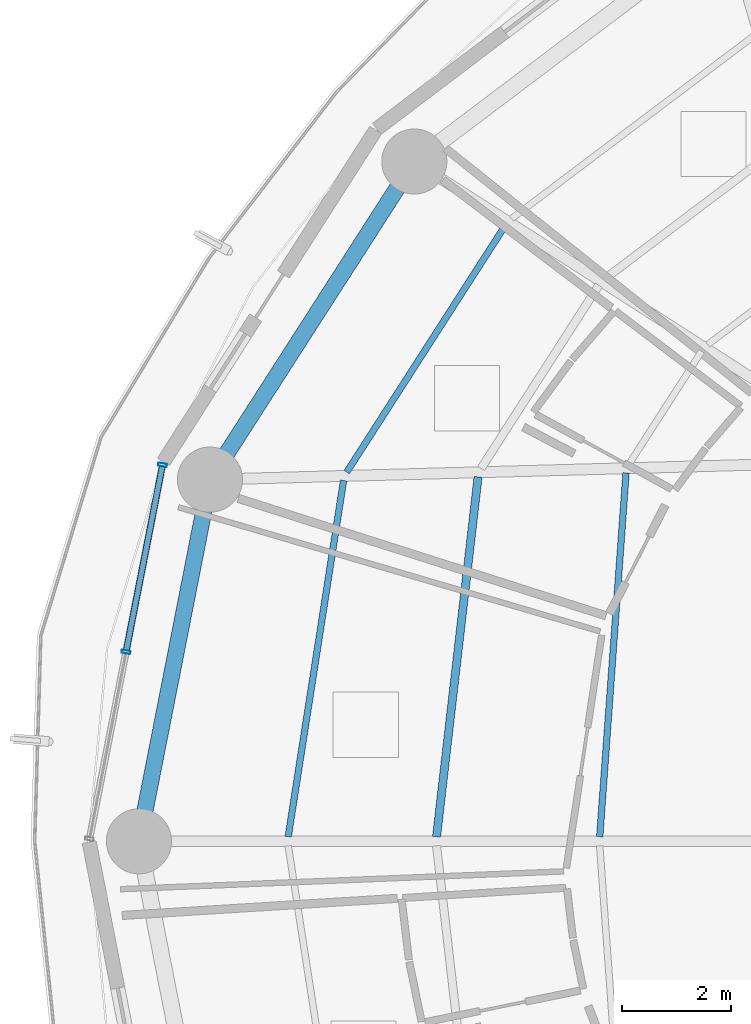
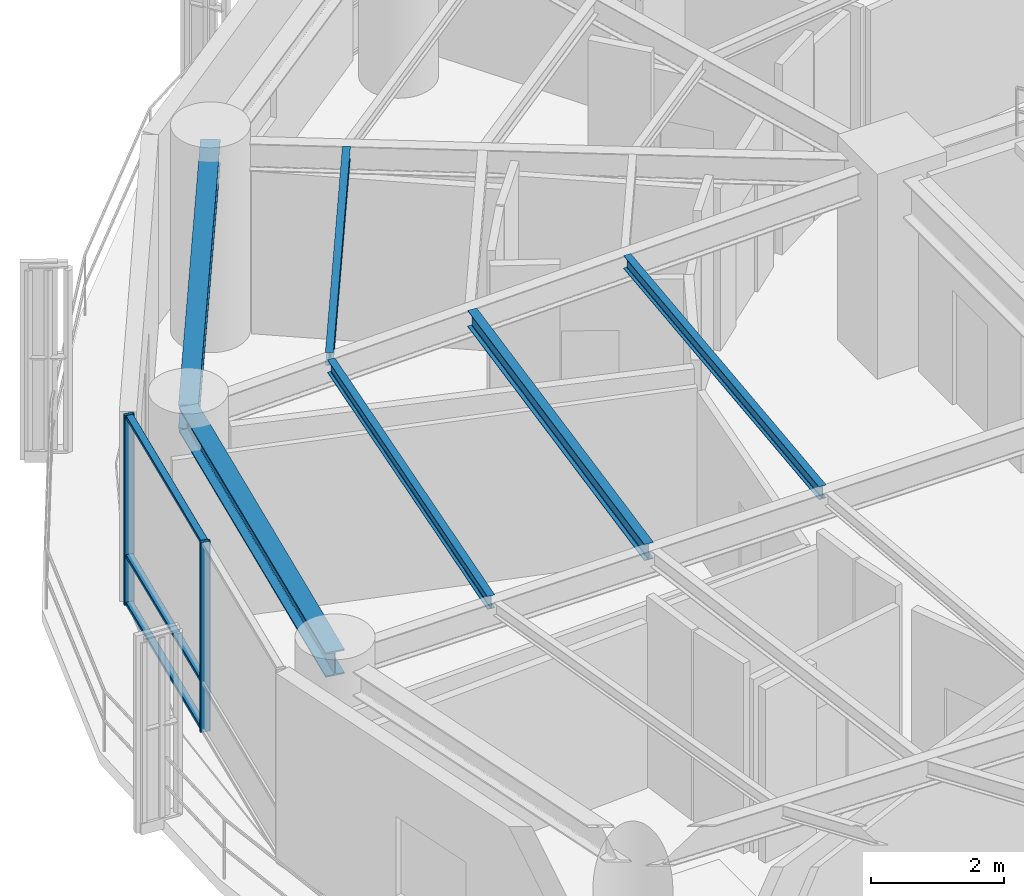
# One storey, part 8 of 27: 6 beams, 5 members, 1 element without a shape of its own.
"""IFC4 building model written with IfcOpenShell, lengths in metres."""

from ifc_helpers import new_model, si_unit, direction, frame, origin, origin_2d, place, context, subcontext, project, spatial, hollow_rectangle, i_section, extrude, material, layer, layer_set, material_profile, profile_set, type_object, element, aggregate, save


model = new_model("IFC4")

# Units and contexts
model_context = context("Model", 3, precision=1e-05, world=origin(), true_north=direction((0.0, 1.0)))
body_context = subcontext(model_context, "Body", "Model", "MODEL_VIEW")
ifc_project = project(units=[si_unit("LENGTHUNIT", "METRE"), si_unit("AREAUNIT", "SQUARE_METRE"), si_unit("VOLUMEUNIT", "CUBIC_METRE"), si_unit("PLANEANGLEUNIT", "RADIAN"), si_unit("MASSUNIT", "GRAM", prefix="KILO")], contexts=[model_context])

# Site, building, storey
site_placement = place(None, origin())
site = spatial("IfcSite", under=ifc_project, at=site_placement, CompositionType="ELEMENT")
building_placement = place(site_placement, origin())
building = spatial("IfcBuilding", under=site, at=building_placement, Name="Kelanora Arch Commons", CompositionType="ELEMENT")
storey_placement = place(building_placement, frame((0.0, 0.0, 150.60009765625)))
storey = spatial("IfcBuildingStorey", under=building, at=storey_placement, Name="L38", CompositionType="ELEMENT", Elevation=150.60009765625)

# Beams
ifc_material_1 = material(Name="Steel S355", Category="steel")
ifc_material_profile_1 = material_profile(ifc_material_1, i_section(OverallWidth=0.14990234375, OverallDepth=0.300048828125, WebThickness=0.007080078125, FlangeThickness=0.0107421875, FilletRadius=0.014892578125, at=origin_2d()), Name="IPE300")
ifc_profile_set_1 = profile_set([ifc_material_profile_1], Name="Steel S355")
beam_type_1 = type_object("IfcBeamType", Name="BM-JST-01", PredefinedType="JOIST", material=ifc_profile_set_1)
beam_1_placement = place(storey_placement, frame((58.56689453125, 64.713134765625, 3.33984375), z_axis=(-0.114667159005, -0.9934039675, 0.0), x_axis=(0.9934039675, -0.114667159005, 0.0)))
element("IfcBeam", 1, at=beam_1_placement, inside=storey, type_object=beam_type_1, Name="Secondary Chord Joist BJB-16 L38", PredefinedType="JOIST", context=body_context, shape_type="SweptSolid", body=[
    extrude(i_section(OverallWidth=0.14990234375, OverallDepth=0.300048828125, WebThickness=0.007080078125, FlangeThickness=0.0107421875, FilletRadius=0.014892578125, at=origin_2d()), origin(), (0.0, 0.0, 1.0), 6.672607421875),
])
ifc_material_profile_2 = material_profile(ifc_material_1, i_section(OverallWidth=0.1201171875, OverallDepth=0.239990234375, WebThickness=0.006103515625, FlangeThickness=0.009765625, FilletRadius=0.014892578125, at=origin_2d()), Name="IPE240")
ifc_profile_set_2 = profile_set([ifc_material_profile_2], Name="Steel S355")
beam_type_2 = type_object("IfcBeamType", Name="BM-JST-02", PredefinedType="JOIST", material=ifc_profile_set_2)
beam_2_placement = place(storey_placement, frame((59.06787109375, 69.345703125, 3.369873046875), z_axis=(-0.540581678156, -0.841291536414, 0.0), x_axis=(0.841291536414, -0.540581678156, 0.0)))
element("IfcBeam", 2, at=beam_2_placement, inside=storey, type_object=beam_type_2, Name="Secondary Chord Joist BJC-14 L38", PredefinedType="JOIST", context=body_context, shape_type="SweptSolid", body=[
    extrude(i_section(OverallWidth=0.1201171875, OverallDepth=0.239990234375, WebThickness=0.006103515625, FlangeThickness=0.009765625, FilletRadius=0.014892578125, at=origin_2d()), origin(), (0.0, 0.0, 1.0), 5.4013671875),
])
beam_3_placement = place(storey_placement, frame((61.292236328125, 64.787109375, 3.369873046875), z_axis=(-0.072117123738, -0.997396170267, 0.0), x_axis=(0.997396170267, -0.072117123738, 0.0)))
element("IfcBeam", 3, at=beam_3_placement, inside=storey, type_object=beam_type_2, Name="Secondary Chord Joist BJA-16 L38", PredefinedType="JOIST", context=body_context, shape_type="SweptSolid", body=[
    extrude(i_section(OverallWidth=0.1201171875, OverallDepth=0.239990234375, WebThickness=0.006103515625, FlangeThickness=0.009765625, FilletRadius=0.014892578125, at=origin_2d()), origin(), (0.0, 0.0, 1.0), 6.719970703125),
])
beam_4_placement = place(storey_placement, frame((56.0888671875, 64.64599609375, 3.369873046875), z_axis=(-0.153562625853, -0.988138917329, 0.0), x_axis=(0.988138917329, -0.153562625853, 0.0)))
element("IfcBeam", 4, at=beam_4_placement, inside=storey, type_object=beam_type_2, Name="Secondary Chord Joist BJC-16 L38", PredefinedType="JOIST", context=body_context, shape_type="SweptSolid", body=[
    extrude(i_section(OverallWidth=0.1201171875, OverallDepth=0.239990234375, WebThickness=0.006103515625, FlangeThickness=0.009765625, FilletRadius=0.014892578125, at=origin_2d()), origin(), (0.0, 0.0, 1.0), 6.640869140625),
])
ifc_material_profile_3 = material_profile(ifc_material_1, i_section(OverallWidth=0.300048828125, OverallDepth=0.449951171875, WebThickness=0.013916015625, FlangeThickness=0.02587890625, FilletRadius=0.027099609375, at=origin_2d()), Name="HEB450")
ifc_profile_set_3 = profile_set([ifc_material_profile_3], Name="Steel S355")
beam_type_3 = type_object("IfcBeamType", Name="BM-SPN-Z3", PredefinedType="SPANDREL", material=ifc_profile_set_3)
beam_5_placement = place(storey_placement, frame((57.39208984375, 70.521484375, 3.264892578125), z_axis=(-0.540576852469, -0.841294637196, 0.0), x_axis=(0.841294637196, -0.540576852469, 0.0)))
element("IfcBeam", 5, at=beam_5_placement, inside=storey, type_object=beam_type_3, Name="Perimeter Spandrel Beam BS-14 L38", PredefinedType="SPANDREL", context=body_context, shape_type="SweptSolid", body=[
    extrude(i_section(OverallWidth=0.300048828125, OverallDepth=0.449951171875, WebThickness=0.013916015625, FlangeThickness=0.02587890625, FilletRadius=0.027099609375, at=origin_2d()), origin(), (0.0, 0.0, 1.0), 6.964111328125),
])
beam_6_placement = place(storey_placement, frame((53.62744140625, 64.66259765625, 3.264892578125), z_axis=(-0.192553643556, -0.981286448675, 0.0), x_axis=(0.981286448675, -0.192553643556, 0.0)))
element("IfcBeam", 6, at=beam_6_placement, inside=storey, type_object=beam_type_3, Name="Perimeter Spandrel Beam BS-16 L38", PredefinedType="SPANDREL", context=body_context, shape_type="SweptSolid", body=[
    extrude(i_section(OverallWidth=0.300048828125, OverallDepth=0.449951171875, WebThickness=0.013916015625, FlangeThickness=0.02587890625, FilletRadius=0.027099609375, at=origin_2d()), origin(), (0.0, 0.0, 1.0), 6.78955078125),
])

# Curtain wall, members
ifc_material_2 = material(Name="Terracotta ceramic-fritted low-E glass and aluminium", Category="masonry")
ifc_layer = layer(ifc_material_2, 0.175048828125)
ifc_layer_set = layer_set([ifc_layer], Name="Terracotta ceramic-fritted low-E glass and aluminium")
curtain_wall_type = type_object("IfcCurtainWallType", Name="CW-SYS-02", PredefinedType="NOTDEFINED", material=ifc_layer_set)
curtain_wall_placement = place(storey_placement, origin())
curtain_wall = element("IfcCurtainWall", 7, at=curtain_wall_placement, inside=storey, type_object=curtain_wall_type, Name="Unitised Curtain Wall L38-B08", PredefinedType="NOTDEFINED")
ifc_material_3 = material(Name="Powder-coated aluminium terracotta", Category="masonry")
ifc_material_profile_4 = material_profile(ifc_material_3, hollow_rectangle(XDim=0.159912109375, YDim=0.06005859375, WallThickness=0.0048828125, InnerFilletRadius=0.0048828125, OuterFilletRadius=0.010009765625, at=origin_2d()), Name="CWM160x60")
ifc_profile_set_4 = profile_set([ifc_material_profile_4], Name="Powder-coated aluminium terracotta")
member_type_1 = type_object("IfcMemberType", Name="CWM-STD", PredefinedType="MULLION", material=ifc_profile_set_4)
member_1_placement = place(storey_placement, frame((52.754150390625, 64.93310546875, 0.0), z_axis=(0.0, 0.0, 1.0), x_axis=(0.981452557718, -0.191705182375, 0.0)))
member_1 = element("IfcMember", 8, at=member_1_placement, type_object=member_type_1, Name="CW-02 mullion 1", PredefinedType="MULLION", context=body_context, shape_type="SweptSolid", body=[
    extrude(hollow_rectangle(XDim=0.159912109375, YDim=0.06005859375, WallThickness=0.0048828125, InnerFilletRadius=0.0048828125, OuterFilletRadius=0.010009765625, at=origin_2d()), origin(), (0.0, 0.0, 1.0), 3.474853515625),
])
member_2_placement = place(storey_placement, frame((52.08154296875, 61.488525390625, 0.0), z_axis=(0.0, 0.0, 1.0), x_axis=(0.981452557718, -0.191705182375, 0.0)))
member_2 = element("IfcMember", 9, at=member_2_placement, type_object=member_type_1, Name="CW-02 mullion 2", PredefinedType="MULLION", context=body_context, shape_type="SweptSolid", body=[
    extrude(hollow_rectangle(XDim=0.159912109375, YDim=0.06005859375, WallThickness=0.0048828125, InnerFilletRadius=0.0048828125, OuterFilletRadius=0.010009765625, at=origin_2d()), origin(), (0.0, 0.0, 1.0), 3.474853515625),
])
ifc_material_profile_5 = material_profile(ifc_material_3, hollow_rectangle(XDim=0.1201171875, YDim=0.06005859375, WallThickness=0.0048828125, InnerFilletRadius=0.0048828125, OuterFilletRadius=0.010009765625, at=origin_2d()), Name="CWT120x60")
ifc_profile_set_5 = profile_set([ifc_material_profile_5], Name="Powder-coated aluminium terracotta")
member_type_2 = type_object("IfcMemberType", Name="CWT-STD", PredefinedType="USERDEFINED", material=ifc_profile_set_5)
member_3_placement = place(storey_placement, frame((52.74853515625, 64.903564453125, 0.02978515625), z_axis=(-0.191731523726, -0.981447412147, 0.0), x_axis=(0.981447412147, -0.191731523726, 0.0)))
member_3 = element("IfcMember", 10, at=member_3_placement, type_object=member_type_2, Name="CW-02 transom 1.1", ObjectType="TRANSOM", PredefinedType="USERDEFINED", context=body_context, shape_type="SweptSolid", body=[
    extrude(hollow_rectangle(XDim=0.1201171875, YDim=0.06005859375, WallThickness=0.0048828125, InnerFilletRadius=0.0048828125, OuterFilletRadius=0.010009765625, at=origin_2d()), origin(), (0.0, 0.0, 1.0), 3.449462890625),
])
member_4_placement = place(storey_placement, frame((52.74853515625, 64.903564453125, 0.89990234375), z_axis=(-0.191731523726, -0.981447412147, 0.0), x_axis=(0.981447412147, -0.191731523726, 0.0)))
member_4 = element("IfcMember", 11, at=member_4_placement, type_object=member_type_2, Name="CW-02 transom 1.2", ObjectType="TRANSOM", PredefinedType="USERDEFINED", context=body_context, shape_type="SweptSolid", body=[
    extrude(hollow_rectangle(XDim=0.1201171875, YDim=0.06005859375, WallThickness=0.0048828125, InnerFilletRadius=0.0048828125, OuterFilletRadius=0.010009765625, at=origin_2d()), origin(), (0.0, 0.0, 1.0), 3.449462890625),
])
member_5_placement = place(storey_placement, frame((52.74853515625, 64.903564453125, 3.44482421875), z_axis=(-0.191731523726, -0.981447412147, 0.0), x_axis=(0.981447412147, -0.191731523726, 0.0)))
member_5 = element("IfcMember", 12, at=member_5_placement, type_object=member_type_2, Name="CW-02 transom 1.3", ObjectType="TRANSOM", PredefinedType="USERDEFINED", context=body_context, shape_type="SweptSolid", body=[
    extrude(hollow_rectangle(XDim=0.1201171875, YDim=0.06005859375, WallThickness=0.0048828125, InnerFilletRadius=0.0048828125, OuterFilletRadius=0.010009765625, at=origin_2d()), origin(), (0.0, 0.0, 1.0), 3.449462890625),
])
aggregate(curtain_wall, [member_1, member_2, member_3, member_4, member_5])

save(model, "model.ifc")
